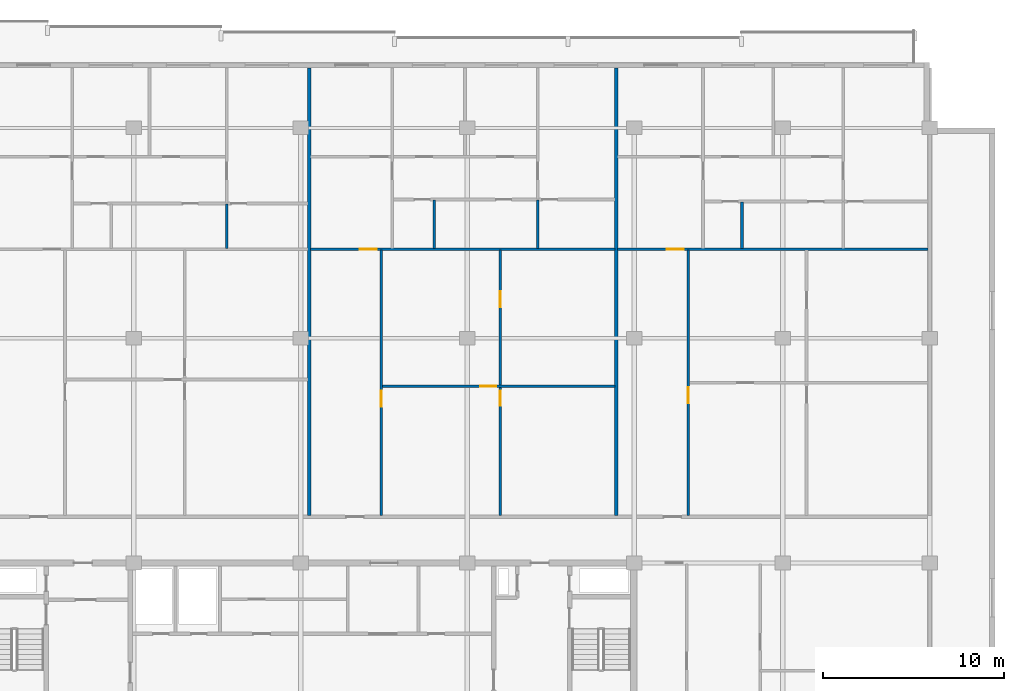
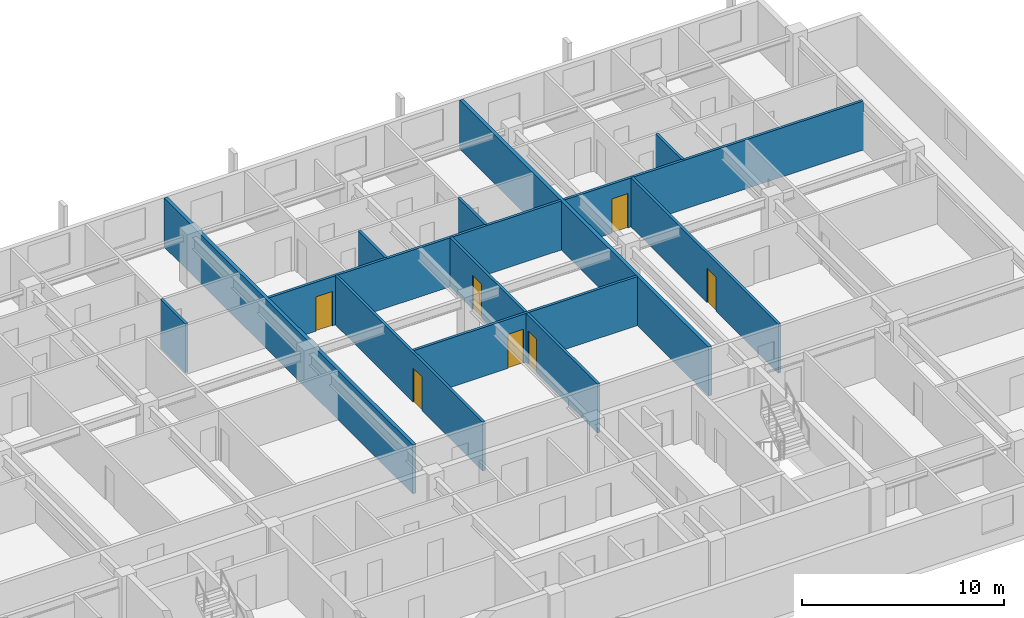
# One storey, part 14 of 23: 12 walls, 7 doors, 7 openings.
"""IFC4 building model written with IfcOpenShell, lengths in metres."""

from ifc_helpers import new_model, si_unit, direction, frame, frame_2d, origin, place, context, subcontext, project, spatial, rectangle, extrude, material, layer, layer_set, type_object, element, fill, save


model = new_model("IFC4")

# Units and contexts
model_context = context("Model", 3, precision=1e-05, world=origin(), true_north=direction((0.0, 1.0)))
body_context = subcontext(model_context, "Body", "Model", "MODEL_VIEW")
ifc_project = project(units=[si_unit("LENGTHUNIT", "METRE"), si_unit("AREAUNIT", "SQUARE_METRE"), si_unit("VOLUMEUNIT", "CUBIC_METRE"), si_unit("PLANEANGLEUNIT", "RADIAN"), si_unit("MASSUNIT", "GRAM", prefix="KILO")], contexts=[model_context])

# Site, building, storey
site_placement = place(None, origin())
site = spatial("IfcSite", under=ifc_project, at=site_placement, CompositionType="ELEMENT")
building_placement = place(site_placement, origin())
building = spatial("IfcBuilding", under=site, at=building_placement, Name="Korimba Cascade Residences", CompositionType="ELEMENT")
storey_placement = place(building_placement, frame((0.0, 0.0, 165.35009765625)))
storey = spatial("IfcBuildingStorey", under=building, at=storey_placement, Name="L47", CompositionType="ELEMENT", Elevation=165.35009765625)

# Walls
ifc_material_1 = material(Name="Precast concrete C40/50", Category="concrete")
ifc_layer_1 = layer(ifc_material_1, 0.199951171875)
ifc_layer_set_1 = layer_set([ifc_layer_1], Name="Precast concrete C40/50")
wall_type_1 = type_object("IfcWallType", Name="WAL-IT-200", PredefinedType="PARTITIONING", material=ifc_layer_set_1)
for number, where, z_axis, x_axis, name in (
    (1, (94.175048828125, 69.830078125, 0.0), (0.0, 0.0, 1.0), (0.0, 1.0, 0.0), "L47 Partition Wall WAL-L47-T1-DEM-2"),
    (2, (111.110107421875, 69.830078125, 0.0), (0.0, 0.0, 1.0), (0.0, 1.0, 0.0), "L47 Partition Wall WAL-L47-T1-DEM-3"),
):
    element("IfcWall", number, at=place(storey_placement, frame(where, z_axis=z_axis, x_axis=x_axis)), inside=storey, type_object=wall_type_1, Name=name, PredefinedType="PARTITIONING", context=body_context, shape_type="SweptSolid", body=[
        extrude(rectangle(XDim=24.669921875, YDim=0.199951171875, at=frame_2d((12.3349609375, 0.0))), origin(), (0.0, 0.0, 1.0), 2.969970703125),
    ])
ifc_material_2 = material(Name="Insulated Acoustic Stud Partition", Category="gypsum")
ifc_layer_2 = layer(ifc_material_2, 0.14990234375)
ifc_layer_set_2 = layer_set([ifc_layer_2], Name="Insulated Acoustic Stud Partition")
wall_type_2 = type_object("IfcWallType", Name="WAL-PART-150", PredefinedType="PARTITIONING", material=ifc_layer_set_2)
wall_1_placement = place(storey_placement, frame((89.625, 84.5400390625, 0.0), z_axis=(0.0, 0.0, 1.0), x_axis=(0.0, 1.0, 0.0)))
element("IfcWall", 3, at=wall_1_placement, inside=storey, type_object=wall_type_2, Name="L47 Partition Wall WAL-L47-T1-U02-VBATH", PredefinedType="PARTITIONING", context=body_context, shape_type="SweptSolid", body=[
    extrude(rectangle(XDim=2.469970703125, YDim=0.14990234375, at=frame_2d((1.23486328125, 0.0))), origin(), (0.0, 0.0, 1.0), 2.969970703125),
])

# Wall, openings, doors
wall_2_placement = place(storey_placement, frame((104.717529296875, 69.81005859375, 0.0), z_axis=(0.0, 0.0, 1.0), x_axis=(0.0, 1.0, 0.0)))
wall_2 = element("IfcWall", 4, at=wall_2_placement, inside=storey, type_object=wall_type_2, Name="L47 Partition Wall WAL-L47-T1-U03-FMV", PredefinedType="PARTITIONING", context=body_context, shape_type="SweptSolid", body=[
    extrude(rectangle(XDim=14.64990234375, YDim=0.14990234375, at=frame_2d((7.324951171875, 0.0))), origin(), (0.0, 0.0, 1.0), 2.969970703125),
])
opening_1_placement = place(wall_2_placement, frame((6.054931640625, 0.0, 0.0)))
opening_1 = element("IfcOpeningElement", 5, at=opening_1_placement, cuts=wall_2, Name="Opening D-BT1", PredefinedType="OPENING", context=body_context, shape_type="SweptSolid", body=[
    extrude(rectangle(XDim=0.840087890625, YDim=2.0400390625, at=frame_2d((0.419921875, 1.02001953125))), frame((0.0, 0.0849609375, 0.0), z_axis=(0.0, -1.0, 0.0), x_axis=(1.0, 0.0, 0.0)), (0.0, 0.0, 1.0), 0.169921875),
])
opening_2_placement = place(wall_2_placement, frame((11.491943359375, 0.0, 0.0)))
opening_2 = element("IfcOpeningElement", 6, at=opening_2_placement, cuts=wall_2, Name="Opening D-IN2", PredefinedType="OPENING", context=body_context, shape_type="SweptSolid", body=[
    extrude(rectangle(XDim=0.8798828125, YDim=2.06005859375, at=frame_2d((0.43994140625, 1.030029296875))), frame((0.0, 0.0849609375, 0.0), z_axis=(0.0, -1.0, 0.0), x_axis=(1.0, 0.0, 0.0)), (0.0, 0.0, 1.0), 0.169921875),
])
ifc_material_3 = material(Name="Moisture-Resistant Bathroom Timber Door", Category="wood")
door_type_1 = type_object("IfcDoorType", Name="DR-INT-850", OperationType="NOTDEFINED", PredefinedType="DOOR", material=ifc_material_3)
door_1_placement = place(opening_1_placement, origin())
door_1 = element("IfcDoor", 7, at=door_1_placement, inside=storey, type_object=door_type_1, Name="L47-T1-U03 Wardrobe Door", OperationType="SINGLE_SWING_RIGHT", OverallHeight=2.0400390625, OverallWidth=0.840087890625, PredefinedType="DOOR", context=body_context, shape_type="SweptSolid", body=[
    extrude(rectangle(XDim=0.840087890625, YDim=2.0400390625, at=frame_2d((0.419921875, 1.02001953125))), frame((0.0, 0.02490234375, 0.0), z_axis=(0.0, -1.0, 0.0), x_axis=(1.0, 0.0, 0.0)), (0.0, 0.0, 1.0), 0.050048828125),
])
fill(opening_1, door_1)
ifc_material_4 = material(Name="Acoustic Timber Bedroom Door", Category="wood")
door_type_2 = type_object("IfcDoorType", Name="DR-INT-880", OperationType="NOTDEFINED", PredefinedType="DOOR", material=ifc_material_4)
door_2_placement = place(opening_2_placement, origin())
door_2 = element("IfcDoor", 8, at=door_2_placement, inside=storey, type_object=door_type_2, Name="L47-T1-U03 Music Lounge Door", OperationType="SINGLE_SWING_LEFT", OverallHeight=2.06005859375, OverallWidth=0.8798828125, PredefinedType="DOOR", context=body_context, shape_type="SweptSolid", body=[
    extrude(rectangle(XDim=0.8798828125, YDim=2.06005859375, at=frame_2d((0.43994140625, 1.030029296875))), frame((0.0, 0.02490234375, 0.0), z_axis=(0.0, -1.0, 0.0), x_axis=(1.0, 0.0, 0.0)), (0.0, 0.0, 1.0), 0.050048828125),
])
fill(opening_2, door_2)

# Wall, opening, door
wall_3_placement = place(storey_placement, frame((98.205078125, 76.955078125, 0.0), z_axis=(0.0, 0.0, 1.0), x_axis=(1.0, 0.0, 0.0)))
wall_3 = element("IfcWall", 9, at=wall_3_placement, inside=storey, type_object=wall_type_2, Name="L47 Partition Wall WAL-L47-T1-U03-FMH", PredefinedType="PARTITIONING", context=body_context, shape_type="SweptSolid", body=[
    extrude(rectangle(XDim=12.824951171875, YDim=0.14990234375, at=frame_2d((6.41259765625, 0.0))), origin(), (0.0, 0.0, 1.0), 2.969970703125),
])
opening_3_placement = place(wall_3_placement, frame((5.41259765625, 0.0, 0.0)))
opening_3 = element("IfcOpeningElement", 10, at=opening_3_placement, cuts=wall_3, Name="Opening D-IN2", PredefinedType="OPENING", context=body_context, shape_type="SweptSolid", body=[
    extrude(rectangle(XDim=0.8798828125, YDim=2.06005859375, at=frame_2d((0.43994140625, 1.030029296875))), frame((0.0, 0.0849609375, 0.0), z_axis=(0.0, -1.0, 0.0), x_axis=(1.0, 0.0, 0.0)), (0.0, 0.0, 1.0), 0.169921875),
])
door_3_placement = place(opening_3_placement, origin())
door_3 = element("IfcDoor", 11, at=door_3_placement, inside=storey, type_object=door_type_2, Name="L47-T1-U03 Library Salon Door", OperationType="SINGLE_SWING_RIGHT", OverallHeight=2.06005859375, OverallWidth=0.8798828125, PredefinedType="DOOR", context=body_context, shape_type="SweptSolid", body=[
    extrude(rectangle(XDim=0.8798828125, YDim=2.06005859375, at=frame_2d((0.43994140625, 1.030029296875))), frame((0.0, 0.02490234375, 0.0), z_axis=(0.0, -1.0, 0.0), x_axis=(1.0, 0.0, 0.0)), (0.0, 0.0, 1.0), 0.050048828125),
])
fill(opening_3, door_3)

wall_4_placement = place(storey_placement, frame((98.14501953125, 69.81005859375, 0.0), z_axis=(0.0, 0.0, 1.0), x_axis=(0.0, 1.0, 0.0)))
wall_4 = element("IfcWall", 12, at=wall_4_placement, inside=storey, type_object=wall_type_2, Name="L47 Partition Wall WAL-L47-T1-U03-FV", PredefinedType="PARTITIONING", context=body_context, shape_type="SweptSolid", body=[
    extrude(rectangle(XDim=14.64990234375, YDim=0.14990234375, at=frame_2d((7.324951171875, 0.0))), origin(), (0.0, 0.0, 1.0), 2.969970703125),
])
opening_4_placement = place(wall_4_placement, frame((6.014892578125, 0.0, 0.0)))
opening_4 = element("IfcOpeningElement", 13, at=opening_4_placement, cuts=wall_4, Name="Opening D-IN2", PredefinedType="OPENING", context=body_context, shape_type="SweptSolid", body=[
    extrude(rectangle(XDim=0.8798828125, YDim=2.06005859375, at=frame_2d((0.43994140625, 1.030029296875))), frame((0.0, 0.0849609375, 0.0), z_axis=(0.0, -1.0, 0.0), x_axis=(1.0, 0.0, 0.0)), (0.0, 0.0, 1.0), 0.169921875),
])
door_4_placement = place(opening_4_placement, origin())
door_4 = element("IfcDoor", 14, at=door_4_placement, inside=storey, type_object=door_type_2, Name="L47-T1-U03 Media Lounge Door", OperationType="SINGLE_SWING_LEFT", OverallHeight=2.06005859375, OverallWidth=0.8798828125, PredefinedType="DOOR", context=body_context, shape_type="SweptSolid", body=[
    extrude(rectangle(XDim=0.8798828125, YDim=2.06005859375, at=frame_2d((0.43994140625, 1.030029296875))), frame((0.0, 0.02490234375, 0.0), z_axis=(0.0, -1.0, 0.0), x_axis=(1.0, 0.0, 0.0)), (0.0, 0.0, 1.0), 0.050048828125),
])
fill(opening_4, door_4)

# Walls
for number, where, z_axis, x_axis, name in (
    (15, (101.06494140625, 84.5400390625, 0.0), (0.0, 0.0, 1.0), (0.0, 1.0, 0.0), "L47 Partition Wall WAL-L47-T1-U03-VDRS"),
    (16, (106.780029296875, 84.5400390625, 0.0), (0.0, 0.0, 1.0), (0.0, 1.0, 0.0), "L47 Partition Wall WAL-L47-T1-U03-VBATH"),
):
    element("IfcWall", number, at=place(storey_placement, frame(where, z_axis=z_axis, x_axis=x_axis)), inside=storey, type_object=wall_type_2, Name=name, PredefinedType="PARTITIONING", context=body_context, shape_type="SweptSolid", body=[
        extrude(rectangle(XDim=2.68994140625, YDim=0.14990234375, at=frame_2d((1.344970703125, 0.0))), origin(), (0.0, 0.0, 1.0), 2.969970703125),
    ])

# Wall, opening, door
wall_5_placement = place(storey_placement, frame((94.2548828125, 84.5, 0.0), z_axis=(0.0, 0.0, 1.0), x_axis=(1.0, 0.0, 0.0)))
wall_5 = element("IfcWall", 17, at=wall_5_placement, inside=storey, type_object=wall_type_2, Name="L47 Partition Wall WAL-L47-T1-U03-MW", PredefinedType="PARTITIONING", context=body_context, shape_type="SweptSolid", body=[
    extrude(rectangle(XDim=16.775146484375, YDim=0.14990234375, at=frame_2d((8.3876953125, 0.0))), origin(), (0.0, 0.0, 1.0), 2.969970703125),
])
opening_5_placement = place(wall_5_placement, frame((2.719970703125, 0.0, 0.0)))
opening_5 = element("IfcOpeningElement", 18, at=opening_5_placement, cuts=wall_5, Name="Opening D-IN1", PredefinedType="OPENING", context=body_context, shape_type="SweptSolid", body=[
    extrude(rectangle(XDim=0.919921875, YDim=2.080078125, at=frame_2d((0.4599609375, 1.0400390625))), frame((0.0, 0.0849609375, 0.0), z_axis=(0.0, -1.0, 0.0), x_axis=(1.0, 0.0, 0.0)), (0.0, 0.0, 1.0), 0.169921875),
])
ifc_material_5 = material(Name="Acoustic Timber Living Door", Category="wood")
door_type_3 = type_object("IfcDoorType", Name="DR-INT-920", OperationType="NOTDEFINED", PredefinedType="DOOR", material=ifc_material_5)
door_5_placement = place(opening_5_placement, origin())
door_5 = element("IfcDoor", 19, at=door_5_placement, inside=storey, type_object=door_type_3, Name="L47-T1-U03 Kitchen Door", OperationType="SINGLE_SWING_LEFT", OverallHeight=2.080078125, OverallWidth=0.919921875, PredefinedType="DOOR", context=body_context, shape_type="SweptSolid", body=[
    extrude(rectangle(XDim=0.919921875, YDim=2.080078125, at=frame_2d((0.4599609375, 1.0400390625))), frame((0.0, 0.02490234375, 0.0), z_axis=(0.0, -1.0, 0.0), x_axis=(1.0, 0.0, 0.0)), (0.0, 0.0, 1.0), 0.050048828125),
])
fill(opening_5, door_5)

wall_6_placement = place(storey_placement, frame((115.080078125, 69.81005859375, 0.0), z_axis=(0.0, 0.0, 1.0), x_axis=(0.0, 1.0, 0.0)))
wall_6 = element("IfcWall", 20, at=wall_6_placement, inside=storey, type_object=wall_type_2, Name="L47 Partition Wall WAL-L47-T1-U04-FV", PredefinedType="PARTITIONING", context=body_context, shape_type="SweptSolid", body=[
    extrude(rectangle(XDim=14.64990234375, YDim=0.14990234375, at=frame_2d((7.324951171875, 0.0))), origin(), (0.0, 0.0, 1.0), 2.969970703125),
])
opening_6_placement = place(wall_6_placement, frame((6.195068359375, 0.0, 0.0)))
opening_6 = element("IfcOpeningElement", 21, at=opening_6_placement, cuts=wall_6, Name="Opening D-IN2", PredefinedType="OPENING", context=body_context, shape_type="SweptSolid", body=[
    extrude(rectangle(XDim=0.8798828125, YDim=2.06005859375, at=frame_2d((0.43994140625, 1.030029296875))), frame((0.0, 0.0849609375, 0.0), z_axis=(0.0, -1.0, 0.0), x_axis=(1.0, 0.0, 0.0)), (0.0, 0.0, 1.0), 0.169921875),
])
door_6_placement = place(opening_6_placement, origin())
door_6 = element("IfcDoor", 22, at=door_6_placement, inside=storey, type_object=door_type_2, Name="L47-T1-U04 Media Lounge Door", OperationType="SINGLE_SWING_RIGHT", OverallHeight=2.06005859375, OverallWidth=0.8798828125, PredefinedType="DOOR", context=body_context, shape_type="SweptSolid", body=[
    extrude(rectangle(XDim=0.8798828125, YDim=2.06005859375, at=frame_2d((0.43994140625, 1.030029296875))), frame((0.0, 0.02490234375, 0.0), z_axis=(0.0, -1.0, 0.0), x_axis=(1.0, 0.0, 0.0)), (0.0, 0.0, 1.0), 0.050048828125),
])
fill(opening_6, door_6)

# Wall
wall_7_placement = place(storey_placement, frame((118.050048828125, 84.5400390625, 0.0), z_axis=(0.0, 0.0, 1.0), x_axis=(0.0, 1.0, 0.0)))
element("IfcWall", 23, at=wall_7_placement, inside=storey, type_object=wall_type_2, Name="L47 Partition Wall WAL-L47-T1-U04-VDRS", PredefinedType="PARTITIONING", context=body_context, shape_type="SweptSolid", body=[
    extrude(rectangle(XDim=2.580078125, YDim=0.14990234375, at=frame_2d((1.2900390625, 0.0))), origin(), (0.0, 0.0, 1.0), 2.969970703125),
])

# Wall, opening, door
wall_8_placement = place(storey_placement, frame((111.190185546875, 84.5, 0.0), z_axis=(0.0, 0.0, 1.0), x_axis=(1.0, 0.0, 0.0)))
wall_8 = element("IfcWall", 24, at=wall_8_placement, inside=storey, type_object=wall_type_2, Name="L47 Partition Wall WAL-L47-T1-U04-MW", PredefinedType="PARTITIONING", context=body_context, shape_type="SweptSolid", body=[
    extrude(rectangle(XDim=17.1298828125, YDim=0.14990234375, at=frame_2d((8.56494140625, 0.0))), origin(), (0.0, 0.0, 1.0), 2.969970703125),
])
opening_7_placement = place(wall_8_placement, frame((2.719970703125, 0.0, 0.0)))
opening_7 = element("IfcOpeningElement", 25, at=opening_7_placement, cuts=wall_8, Name="Opening D-IN1", PredefinedType="OPENING", context=body_context, shape_type="SweptSolid", body=[
    extrude(rectangle(XDim=0.919921875, YDim=2.080078125, at=frame_2d((0.4599609375, 1.0400390625))), frame((0.0, 0.0849609375, 0.0), z_axis=(0.0, -1.0, 0.0), x_axis=(1.0, 0.0, 0.0)), (0.0, 0.0, 1.0), 0.169921875),
])
door_7_placement = place(opening_7_placement, origin())
door_7 = element("IfcDoor", 26, at=door_7_placement, inside=storey, type_object=door_type_3, Name="L47-T1-U04 Kitchen Door", OperationType="SINGLE_SWING_RIGHT", OverallHeight=2.080078125, OverallWidth=0.919921875, PredefinedType="DOOR", context=body_context, shape_type="SweptSolid", body=[
    extrude(rectangle(XDim=0.919921875, YDim=2.080078125, at=frame_2d((0.4599609375, 1.0400390625))), frame((0.0, 0.02490234375, 0.0), z_axis=(0.0, -1.0, 0.0), x_axis=(1.0, 0.0, 0.0)), (0.0, 0.0, 1.0), 0.050048828125),
])
fill(opening_7, door_7)

save(model, "model.ifc")
